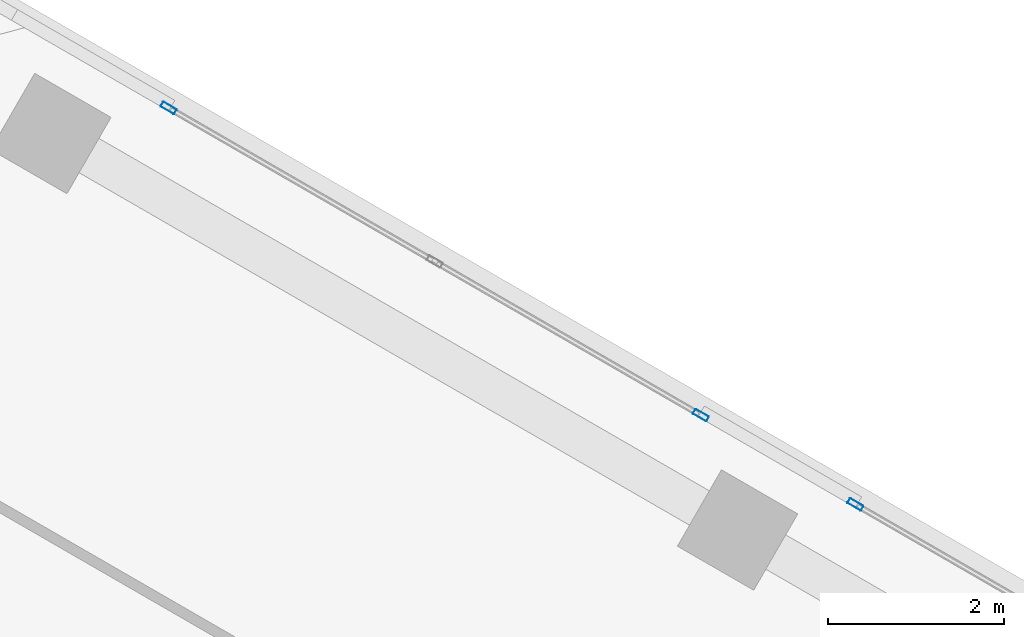
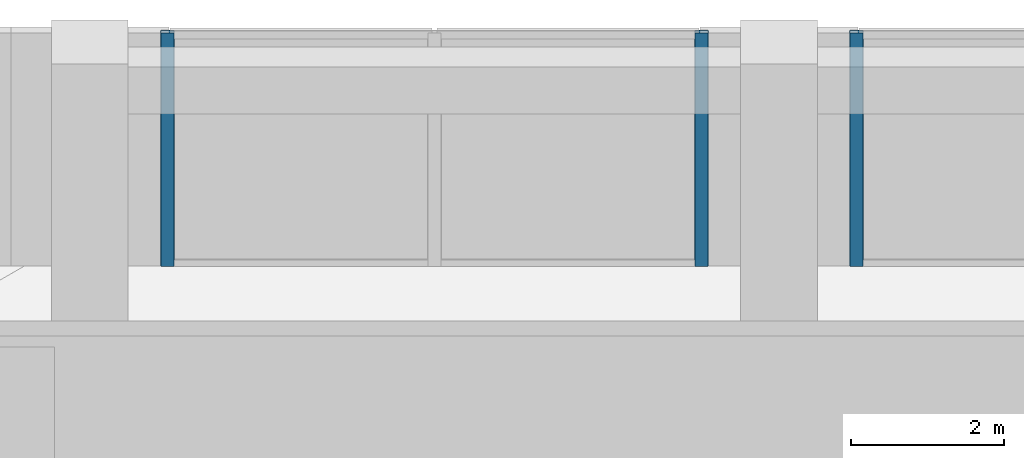
# One storey, part 13 of 21: 3 members, 2 elements without a shape of their own.
"""IFC4 building model written with IfcOpenShell, lengths in metres."""

import ifcopenshell
import ifcopenshell.guid

model = None  # the IFC model being written
_history = None  # IfcOwnerHistory: only IFC2X3 demands one
_inside = {}  # id of a spatial element -> (the spatial element, [elements in it])
_under = {}  # id of a project, library or spatial element -> (it, [spatial elements below it])
_declared = {}  # id of a project -> (the project, [libraries it declares])
_typed = {}  # id of a type object -> (the type object, [elements of that type])
_made_of = {}  # id of a material, layer set ... -> (it, [elements and type objects made of it])


def new_model(schema):
    """Start an empty IFC model of exactly this schema.

    Asked for "IFC4X3", IfcOpenShell would pick the latest addendum, in which some entities
    have other attributes; the version numbers below select the first issue.
    IFC2X3 requires an IfcOwnerHistory on every rooted entity: one is made here for all.
    """
    global model, _history
    if schema == "IFC4X3":
        model = ifcopenshell.file(schema_version=(4, 3, 0, 0))
    else:
        model = ifcopenshell.file(schema=schema)
    _inside.clear()
    _under.clear()
    _declared.clear()
    _typed.clear()
    _made_of.clear()
    _history = None
    if model.schema == "IFC2X3":
        org = make("IfcOrganization", Name="unknown")
        user = make(
            "IfcPersonAndOrganization",
            ThePerson=make("IfcPerson", FamilyName="unknown"),
            TheOrganization=org,
        )
        app = make(
            "IfcApplication",
            ApplicationDeveloper=org,
            Version="unknown",
            ApplicationFullName="unknown",
            ApplicationIdentifier="unknown",
        )
        _history = make(
            "IfcOwnerHistory",
            OwningUser=user,
            OwningApplication=app,
            ChangeAction="ADDED",
            CreationDate=0,
        )
    return model


def make(cls, **values):
    """One entity of the class cls with the attributes given. An attribute that is None is left unset."""
    return model.create_entity(
        cls, **{name: value for name, value in values.items() if value is not None}
    )


def rooted(cls, **values):
    """An entity with a GlobalId (a new one), such as an element, a storey or a relation."""
    return make(cls, GlobalId=ifcopenshell.guid.new(), OwnerHistory=_history, **values)


def si_unit(unit_type, name, prefix=None):
    """IfcSIUnit, for example si_unit("LENGTHUNIT", "METRE", prefix="MILLI")."""
    return make("IfcSIUnit", UnitType=unit_type, Prefix=prefix, Name=name)


def assignment(units):
    """IfcUnitAssignment: the units of a project."""
    return None if units is None else make("IfcUnitAssignment", Units=units)


def point(xyz):
    """IfcCartesianPoint."""
    return None if xyz is None else make("IfcCartesianPoint", Coordinates=xyz)


def direction(xyz):
    """IfcDirection."""
    return None if xyz is None else make("IfcDirection", DirectionRatios=xyz)


def frame(location, z_axis=None, x_axis=None):
    """IfcAxis2Placement3D, a coordinate frame: its origin and axes. An axis left out is left unset."""
    return make(
        "IfcAxis2Placement3D",
        Location=point(location),
        Axis=direction(z_axis),
        RefDirection=direction(x_axis),
    )


def frame_2d(location, x_axis=None):
    """IfcAxis2Placement2D, a coordinate frame in the plane: its origin and x axis."""
    return make(
        "IfcAxis2Placement2D", Location=point(location), RefDirection=direction(x_axis)
    )


def origin():
    """The frame at (0, 0, 0) with its axes left unset."""
    return frame((0.0, 0.0, 0.0))


def origin_2d():
    """The frame at (0, 0) in the plane with its x axis left unset."""
    return frame_2d((0.0, 0.0))


def place(relative_to, where):
    """IfcLocalPlacement: puts the frame where relative to a parent placement (None: the world)."""
    return make(
        "IfcLocalPlacement", PlacementRelTo=relative_to, RelativePlacement=where
    )


def context(
    kind, dimensions, precision=None, world=None, true_north=None, identifier=None
):
    """IfcGeometricRepresentationContext, for example the 3D "Model" context."""
    return make(
        "IfcGeometricRepresentationContext",
        ContextIdentifier=identifier,
        ContextType=kind,
        CoordinateSpaceDimension=dimensions,
        Precision=precision,
        WorldCoordinateSystem=world,
        TrueNorth=true_north,
    )


def subcontext(parent, identifier, kind, view, scale=None):
    """IfcGeometricRepresentationSubContext, for example "Body" below "Model"."""
    return make(
        "IfcGeometricRepresentationSubContext",
        ContextIdentifier=identifier,
        ContextType=kind,
        ParentContext=parent,
        TargetScale=scale,
        TargetView=view,
    )


def project(units=None, contexts=None):
    """IfcProject with its units and contexts."""
    return rooted(
        "IfcProject",
        Name="project",
        RepresentationContexts=contexts,
        UnitsInContext=assignment(units),
    )


def spatial(cls, under=None, at=None, **own):
    """A site, building, storey or space (cls), placed at a placement, below another one or the project."""
    s = rooted(cls, ObjectPlacement=at, **own)
    if under is not None:
        _under.setdefault(under.id(), (under, []))[1].append(s)
    return s


def profile(cls, at=None, kind="AREA", **sizes):
    """A parametric profile (cls). Its sizes go by their IFC names, for example OverallWidth=200.0."""
    return make(cls, ProfileType=kind, Position=at, **sizes)


def hollow_rectangle(**sizes):
    """IfcRectangleHollowProfileDef."""
    return profile("IfcRectangleHollowProfileDef", **sizes)


def extrude(swept, where, along, depth):
    """IfcExtrudedAreaSolid: the profile swept, set in the frame where, extruded along a direction by depth."""
    return make(
        "IfcExtrudedAreaSolid",
        SweptArea=swept,
        Position=where,
        ExtrudedDirection=direction(along),
        Depth=depth,
    )


def shape(context_of_items, identifier, shape_type, items):
    """IfcShapeRepresentation: the items that make up one representation, for example the "Body"."""
    return make(
        "IfcShapeRepresentation",
        ContextOfItems=context_of_items,
        RepresentationIdentifier=identifier,
        RepresentationType=shape_type,
        Items=items,
    )


def source(mapping_origin, context_of_items, identifier, shape_type, items):
    """IfcRepresentationMap: a shape defined once, which mapped items show again and again."""
    return make(
        "IfcRepresentationMap",
        MappingOrigin=mapping_origin,
        MappedRepresentation=shape(context_of_items, identifier, shape_type, items),
    )


def transform(
    local_origin,
    x_axis=None,
    y_axis=None,
    z_axis=None,
    scale=None,
    scale2=None,
    scale3=None,
    uniform=True,
):
    """IfcCartesianTransformationOperator3D, or its non-uniform kind. x_axis, y_axis, z_axis: its Axis1, 2, 3."""
    if uniform:
        return make(
            "IfcCartesianTransformationOperator3D",
            Axis1=direction(x_axis),
            Axis2=direction(y_axis),
            LocalOrigin=point(local_origin),
            Scale=scale,
            Axis3=direction(z_axis),
        )
    return make(
        "IfcCartesianTransformationOperator3DnonUniform",
        Axis1=direction(x_axis),
        Axis2=direction(y_axis),
        LocalOrigin=point(local_origin),
        Scale=scale,
        Axis3=direction(z_axis),
        Scale2=scale2,
        Scale3=scale3,
    )


def mapped(mapping_source, mapping_target):
    """IfcMappedItem: shows the shape of a source again, moved by a transform."""
    return make(
        "IfcMappedItem", MappingSource=mapping_source, MappingTarget=mapping_target
    )


def material(Name=None, Category=None):
    """IfcMaterial."""
    return make("IfcMaterial", Name=Name, Category=Category)


def material_profile(
    of_material, cross_section, Name=None, Category=None, Priority=None
):
    """IfcMaterialProfile: a cross section and its material."""
    return make(
        "IfcMaterialProfile",
        Name=Name,
        Material=of_material,
        Profile=cross_section,
        Priority=Priority,
        Category=Category,
    )


def profile_set(profiles, Name=None, composite=None):
    """IfcMaterialProfileSet."""
    return make(
        "IfcMaterialProfileSet",
        Name=Name,
        MaterialProfiles=profiles,
        CompositeProfile=composite,
    )


def made_of(thing, what):
    """Note that an element or type object is made of a material, layer set ...; save() writes the relation."""
    if what is not None:
        _made_of.setdefault(what.id(), (what, []))[1].append(thing)
    return thing


def type_object(cls, material=None, **own):
    """A type object (cls), such as IfcWallType, which elements share."""
    return made_of(rooted(cls, **own), material)


def element(
    cls,
    number,
    at=None,
    inside=None,
    cuts=None,
    type_object=None,
    material=None,
    context=None,
    identifier="Body",
    shape_type=None,
    held_by="IfcProductDefinitionShape",
    body=None,
    shapes=None,
    **own,
):
    """One element of the class cls, such as IfcWall. Its Tag is "e" and its number.

    at: its placement. inside: the storey or other place that contains it. cuts: it is an
    opening in that element (IfcRelVoidsElement). A single representation is given by context,
    identifier, shape_type and body (its items); several are given by shapes. held_by: the class
    of the entity that holds the representations. save() writes the other relations.
    """
    e = rooted(cls, Tag="e%d" % number, ObjectPlacement=at, **own)
    if body is not None:
        shapes = [shape(context, identifier, shape_type, body)]
    if shapes is not None:
        e.Representation = make(held_by, Representations=shapes)
    if inside is not None:
        _inside.setdefault(inside.id(), (inside, []))[1].append(e)
    if cuts is not None:
        rooted(
            "IfcRelVoidsElement", RelatingBuildingElement=cuts, RelatedOpeningElement=e
        )
    if type_object is not None:
        _typed.setdefault(type_object.id(), (type_object, []))[1].append(e)
    return made_of(e, material)


def aggregate(whole, parts):
    """IfcRelAggregates: a whole, such as a stair, and the parts it consists of."""
    return rooted("IfcRelAggregates", RelatingObject=whole, RelatedObjects=parts)


def save(model, path):
    """Write the relations noted so far, then the file.

    IfcRelAggregates (storeys below a building ...), IfcRelContainedInSpatialStructure (elements
    in a storey), IfcRelDefinesByType, IfcRelAssociatesMaterial and IfcRelDeclares: one each for
    every whole, place, type object, material and project.
    """
    for whole, parts in _under.values():
        aggregate(whole, parts)
    for where, things in _inside.values():
        rooted(
            "IfcRelContainedInSpatialStructure",
            RelatedElements=things,
            RelatingStructure=where,
        )
    for kind, things in _typed.values():
        rooted("IfcRelDefinesByType", RelatedObjects=things, RelatingType=kind)
    for what, things in _made_of.values():
        rooted("IfcRelAssociatesMaterial", RelatedObjects=things, RelatingMaterial=what)
    for by, libraries in _declared.values():
        rooted("IfcRelDeclares", RelatingContext=by, RelatedDefinitions=libraries)
    model.write(path)


model = new_model("IFC4")

# Units and contexts
model_context = context("Model", 3, precision=1e-05, world=origin(), true_north=direction((0.0, 1.0)))
body_context = subcontext(model_context, "Body", "Model", "MODEL_VIEW")
ifc_project = project(units=[si_unit("LENGTHUNIT", "METRE"), si_unit("AREAUNIT", "SQUARE_METRE"), si_unit("VOLUMEUNIT", "CUBIC_METRE"), si_unit("PLANEANGLEUNIT", "RADIAN"), si_unit("MASSUNIT", "GRAM", prefix="KILO")], contexts=[model_context])

# Site, building, storey
site_placement = place(None, origin())
site = spatial("IfcSite", under=ifc_project, at=site_placement, CompositionType="ELEMENT")
building_placement = place(site_placement, origin())
building = spatial("IfcBuilding", under=site, at=building_placement, Name="Torre Montelarca", CompositionType="ELEMENT")
storey_placement = place(building_placement, frame((0.0, 0.0, 179.199951171875)))
storey = spatial("IfcBuildingStorey", under=building, at=storey_placement, Name="L40", CompositionType="ELEMENT", Elevation=179.199951171875)

# Curtain wall, member
ifc_material_1 = material(Name="Insulated low-E laminated glass", Category="glass")
curtain_wall_type = type_object("IfcCurtainWallType", Name="CW-SYS-Z2", PredefinedType="USERDEFINED", material=ifc_material_1)
curtain_wall_1_placement = place(storey_placement, origin())
curtain_wall_1 = element("IfcCurtainWall", 1, at=curtain_wall_1_placement, inside=storey, type_object=curtain_wall_type, Name="L40 Curtain Wall Run CW-T3-L40-E08-B3", ObjectType="UNITISED GLAZING", PredefinedType="USERDEFINED")
ifc_material_2 = material(Name="Anodised aluminium AA 6063-T6", Category="aluminium")
ifc_material_profile = material_profile(ifc_material_2, hollow_rectangle(XDim=0.06494140625, YDim=0.179931640625, WallThickness=0.00390625, InnerFilletRadius=0.00390625, OuterFilletRadius=0.008056640625, at=origin_2d()), Name="ALU65X180X4", Category="aluminium")
ifc_profile_set = profile_set([ifc_material_profile], Name="Anodised aluminium AA 6063-T6")
member_type = type_object("IfcMemberType", Name="CWM-ALU180", PredefinedType="MULLION", material=ifc_profile_set)
shared_shape = source(origin(), body_context, "Body", "SweptSolid", [
    extrude(hollow_rectangle(XDim=0.06494140625, YDim=0.179931640625, WallThickness=0.00390625, InnerFilletRadius=0.00390625, OuterFilletRadius=0.008056640625, at=origin_2d()), origin(), (0.0, 0.0, 1.0), 3.719970703125),
])
member_1_placement = place(storey_placement, frame((27.380859375, 47.16064453125, 0.0), z_axis=(0.0, 0.0, 1.0), x_axis=(-0.500001158972, -0.866024734651, 0.0)))
member_1 = element("IfcMember", 2, at=member_1_placement, type_object=member_type, Name="CW mullion 3", PredefinedType="MULLION", context=body_context, shape_type="MappedRepresentation", body=[
    mapped(shared_shape, transform((0.0, 0.0, 0.0), scale=1.0)),
])
aggregate(curtain_wall_1, [member_1])

# Curtain wall, members
curtain_wall_2_placement = place(storey_placement, origin())
curtain_wall_2 = element("IfcCurtainWall", 3, at=curtain_wall_2_placement, inside=storey, type_object=curtain_wall_type, Name="L40 Curtain Wall Run CW-T3-L40-E08-B4", ObjectType="UNITISED GLAZING", PredefinedType="USERDEFINED")
member_2_placement = place(storey_placement, frame((25.626953125, 48.17333984375, 0.0), z_axis=(0.0, 0.0, 1.0), x_axis=(-0.500001158972, -0.866024734651, 0.0)))
member_2 = element("IfcMember", 4, at=member_2_placement, type_object=member_type, Name="CW mullion 1", PredefinedType="MULLION", context=body_context, shape_type="MappedRepresentation", body=[
    mapped(shared_shape, transform((0.0, 0.0, 0.0), scale=1.0)),
])
member_3_placement = place(storey_placement, frame((19.58642578125, 51.66064453125, 0.0), z_axis=(0.0, 0.0, 1.0), x_axis=(-0.500001158972, -0.866024734651, 0.0)))
member_3 = element("IfcMember", 5, at=member_3_placement, type_object=member_type, Name="CW mullion 3", PredefinedType="MULLION", context=body_context, shape_type="MappedRepresentation", body=[
    mapped(shared_shape, transform((0.0, 0.0, 0.0), scale=1.0)),
])
aggregate(curtain_wall_2, [member_2, member_3])

save(model, "model.ifc")
